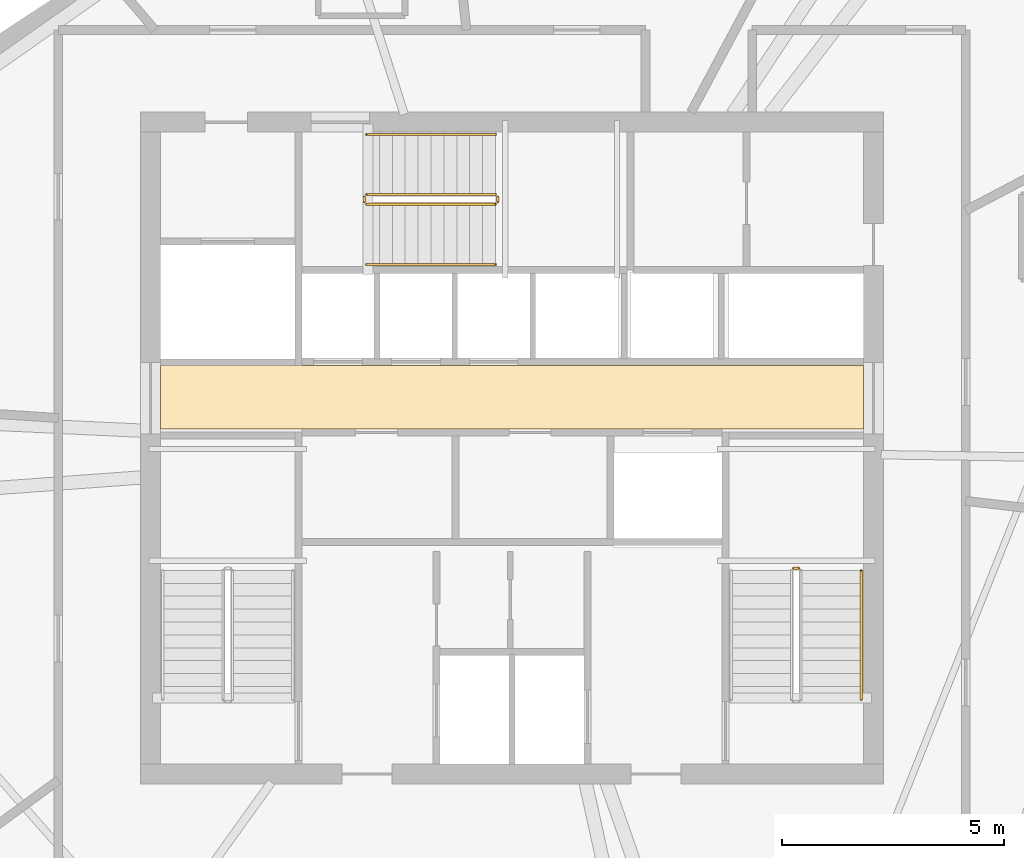
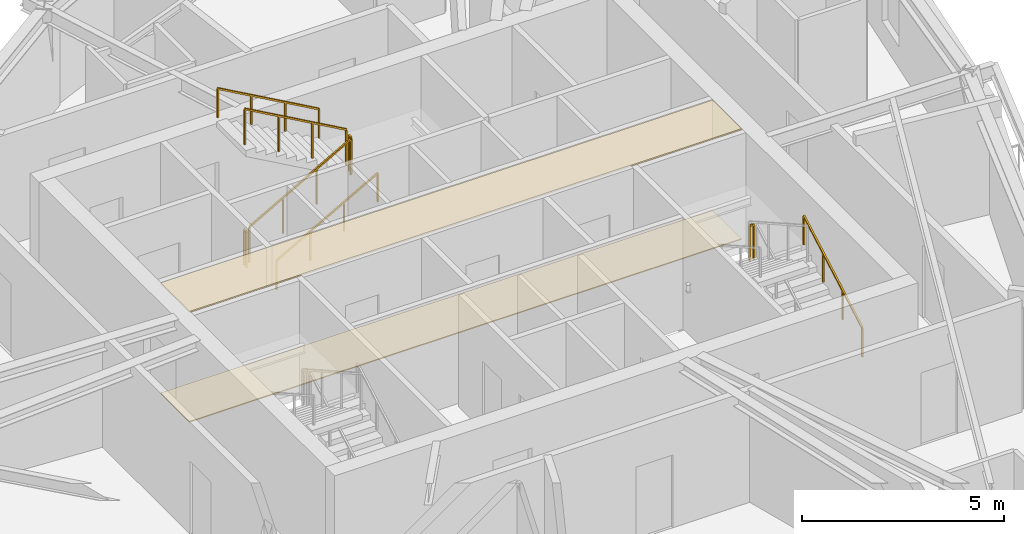
# One storey, part 13 of 14: 8 railings, 2 coverings.
"""IFC4 building model written with IfcOpenShell, lengths in metres."""

from ifc_helpers import new_model, si_unit, direction, frame, origin, origin_2d, place, context, subcontext, project, spatial, polyline, rectangle, outline, extrude, material, layer, layer_set, type_object, element, save


model = new_model("IFC4")

# Units and contexts
model_context = context("Model", 3, precision=1e-05, world=origin(), true_north=direction((0.0, 1.0)))
body_context = subcontext(model_context, "Body", "Model", "MODEL_VIEW")
ifc_project = project(units=[si_unit("LENGTHUNIT", "METRE"), si_unit("AREAUNIT", "SQUARE_METRE"), si_unit("VOLUMEUNIT", "CUBIC_METRE"), si_unit("PLANEANGLEUNIT", "RADIAN"), si_unit("MASSUNIT", "GRAM", prefix="KILO")], contexts=[model_context])

# Site, building, storey
site_placement = place(None, origin())
site = spatial("IfcSite", under=ifc_project, at=site_placement, CompositionType="ELEMENT")
building_placement = place(site_placement, origin())
building = spatial("IfcBuilding", under=site, at=building_placement, Name="Olszyna Solenne Hotel", CompositionType="ELEMENT")
storey_placement = place(building_placement, frame((0.0, 0.0, 252.5)))
storey = spatial("IfcBuildingStorey", under=building, at=storey_placement, Name="L67", CompositionType="ELEMENT", Elevation=252.5)

# Coverings
ifc_material_1 = material(Name="Mineral wool acoustic ceiling")
ifc_layer_1 = layer(ifc_material_1, 0.0400390625, Name="Mineral wool acoustic ceiling")
ifc_layer_set_1 = layer_set([ifc_layer_1], Name="Mineral wool acoustic ceiling")
covering_type_1 = type_object("IfcCoveringType", Name="CL-AC1", PredefinedType="CEILING", material=ifc_layer_set_1)
covering_1_placement = place(storey_placement, frame((0.0, 0.0, 3.320068359375)))
element("IfcCovering", 1, at=covering_1_placement, inside=storey, type_object=covering_type_1, Name="Lift lobby acoustic tile ceiling CL-L67-01", PredefinedType="CEILING", context=body_context, shape_type="SweptSolid", body=[
    extrude(outline(polyline([(30.10009765625, 27.030029296875), (45.89990234375, 27.030029296875), (45.89990234375, 28.4599609375), (30.10009765625, 28.4599609375), (30.10009765625, 27.030029296875)])), origin(), (0.0, 0.0, 1.0), 0.0400390625),
])
ifc_material_2 = material(Name="Ceramic floor tile")
ifc_layer_2 = layer(ifc_material_2, 0.030029296875, Name="Ceramic floor tile")
ifc_layer_set_2 = layer_set([ifc_layer_2], Name="Ceramic floor tile")
covering_type_2 = type_object("IfcCoveringType", Name="FL-TL1", PredefinedType="FLOORING", material=ifc_layer_set_2)
covering_2_placement = place(storey_placement, origin())
element("IfcCovering", 2, at=covering_2_placement, inside=storey, type_object=covering_type_2, Name="Lift lobby stoneware floor finish FLR-L67-01", PredefinedType="FLOORING", context=body_context, shape_type="SweptSolid", body=[
    extrude(outline(polyline([(30.10009765625, 27.030029296875), (45.89990234375, 27.030029296875), (45.89990234375, 28.4599609375), (30.10009765625, 28.4599609375), (30.10009765625, 27.030029296875)])), origin(), (0.0, 0.0, 1.0), 0.030029296875),
])

# Railings
ifc_material_3 = material(Name="Anodised bronze aluminium", Category="aluminium")
railing_type_1 = type_object("IfcRailingType", Name="GR-110", PredefinedType="BALUSTRADE", material=ifc_material_3)
railing_1_placement = place(storey_placement, frame((44.449951171875, 23.89990234375, 1.800048828125)))
element("IfcRailing", 3, at=railing_1_placement, inside=storey, type_object=railing_type_1, Name="L67 ST2 stair guard 2", PredefinedType="BALUSTRADE", context=body_context, shape_type="SweptSolid", body=[
    extrude(rectangle(XDim=0.048095703125, YDim=0.048095703125, at=origin_2d()), frame((0.0, 0.0, 1.076171875), z_axis=(-1.0, 0.0, 0.0), x_axis=(0.0, -1.0, 0.0)), (0.0, 0.0, 1.0), 0.119873046875),
    extrude(rectangle(XDim=0.0419921875, YDim=0.0419921875, at=origin_2d()), origin(), (0.0, 0.0, 1.0), 1.052001953125),
    extrude(rectangle(XDim=0.0419921875, YDim=0.0419921875, at=origin_2d()), frame((-0.119873046875, 0.0, 0.0)), (0.0, 0.0, 1.0), 1.052001953125),
])
railing_2_placement = place(storey_placement, frame((34.72998046875, 32.080078125, 0.16357421875)))
element("IfcRailing", 4, at=railing_2_placement, inside=storey, type_object=railing_type_1, Name="L67 ST3 stair guard 1", PredefinedType="BALUSTRADE", context=body_context, shape_type="SweptSolid", body=[
    extrude(rectangle(XDim=0.048095703125, YDim=0.048095703125, at=origin_2d()), frame((0.0, 0.0, 1.076171875), z_axis=(0.870897200241, 0.0, 0.491465224214), x_axis=(0.0, 1.0, 0.0)), (0.0, 0.0, 1.0), 3.329833984375),
    extrude(rectangle(XDim=0.0419921875, YDim=0.0419921875, at=origin_2d()), origin(), (0.0, 0.0, 1.0), 1.052001953125),
    extrude(rectangle(XDim=0.0419921875, YDim=0.0419921875, at=origin_2d()), frame((0.966552734375, 0.0, 0.54541015625)), (0.0, 0.0, 1.0), 1.052001953125),
    extrude(rectangle(XDim=0.0419921875, YDim=0.0419921875, at=origin_2d()), frame((1.933349609375, 0.0, 1.091064453125)), (0.0, 0.0, 1.0), 1.052001953125),
    extrude(rectangle(XDim=0.0419921875, YDim=0.0419921875, at=origin_2d()), frame((2.89990234375, 0.0, 1.636474609375)), (0.0, 0.0, 1.0), 1.052001953125),
])
railing_3_placement = place(storey_placement, frame((37.679931640625, 32.1298828125, 1.800048828125)))
element("IfcRailing", 5, at=railing_3_placement, inside=storey, type_object=railing_type_1, Name="L67 ST3 stair guard 2", PredefinedType="BALUSTRADE", context=body_context, shape_type="SweptSolid", body=[
    extrude(rectangle(XDim=0.048095703125, YDim=0.048095703125, at=origin_2d()), frame((0.0, 0.0, 1.076171875), z_axis=(0.0, 1.0, 0.0), x_axis=(-1.0, 0.0, 0.0)), (0.0, 0.0, 1.0), 0.1201171875),
    extrude(rectangle(XDim=0.0419921875, YDim=0.0419921875, at=origin_2d()), origin(), (0.0, 0.0, 1.0), 1.052001953125),
    extrude(rectangle(XDim=0.0419921875, YDim=0.0419921875, at=origin_2d()), frame((0.0, 0.1201171875, 0.0)), (0.0, 0.0, 1.0), 1.052001953125),
])
railing_4_placement = place(storey_placement, frame((37.6298828125, 32.300048828125, 1.963623046875)))
element("IfcRailing", 6, at=railing_4_placement, inside=storey, type_object=railing_type_1, Name="L67 ST3 stair guard 3", PredefinedType="BALUSTRADE", context=body_context, shape_type="SweptSolid", body=[
    extrude(rectangle(XDim=0.048095703125, YDim=0.048095703125, at=origin_2d()), frame((0.0, 0.0, 1.076171875), z_axis=(-0.870897200241, 0.0, 0.491465224214), x_axis=(0.0, -1.0, 0.0)), (0.0, 0.0, 1.0), 3.329833984375),
    extrude(rectangle(XDim=0.0419921875, YDim=0.0419921875, at=origin_2d()), origin(), (0.0, 0.0, 1.0), 1.052001953125),
    extrude(rectangle(XDim=0.0419921875, YDim=0.0419921875, at=origin_2d()), frame((-0.966552734375, 0.0, 0.54541015625)), (0.0, 0.0, 1.0), 1.052001953125),
    extrude(rectangle(XDim=0.0419921875, YDim=0.0419921875, at=origin_2d()), frame((-1.933349609375, 0.0, 1.091064453125)), (0.0, 0.0, 1.0), 1.052001953125),
    extrude(rectangle(XDim=0.0419921875, YDim=0.0419921875, at=origin_2d()), frame((-2.89990234375, 0.0, 1.636474609375)), (0.0, 0.0, 1.0), 1.052001953125),
])
railing_5_placement = place(storey_placement, frame((34.679931640625, 32.1298828125, 0.0)))
element("IfcRailing", 7, at=railing_5_placement, inside=storey, type_object=railing_type_1, Name="L67 ST3 stair guard 4", PredefinedType="BALUSTRADE", context=body_context, shape_type="SweptSolid", body=[
    extrude(rectangle(XDim=0.048095703125, YDim=0.048095703125, at=origin_2d()), frame((0.0, 0.0, 1.076171875), z_axis=(0.0, 1.0, 0.0), x_axis=(-1.0, 0.0, 0.0)), (0.0, 0.0, 1.0), 0.1201171875),
    extrude(rectangle(XDim=0.0419921875, YDim=0.0419921875, at=origin_2d()), origin(), (0.0, 0.0, 1.0), 1.052001953125),
    extrude(rectangle(XDim=0.0419921875, YDim=0.0419921875, at=origin_2d()), frame((0.0, 0.1201171875, 0.0)), (0.0, 0.0, 1.0), 1.052001953125),
])
ifc_material_4 = material(Name="Steel S355J2", Category="steel")
railing_type_2 = type_object("IfcRailingType", Name="HR-090", PredefinedType="HANDRAIL", material=ifc_material_4)
railing_6_placement = place(storey_placement, frame((45.85009765625, 20.949951171875, 0.16357421875)))
element("IfcRailing", 8, at=railing_6_placement, inside=storey, type_object=railing_type_2, Name="L67 ST2 stair handrail 1", PredefinedType="HANDRAIL", context=body_context, shape_type="SweptSolid", body=[
    extrude(rectangle(XDim=0.048095703125, YDim=0.048095703125, at=origin_2d()), frame((0.0, 0.0, 0.8759765625), z_axis=(0.0, 0.870914908162, 0.491433843708), x_axis=(-1.0, 0.0, 0.0)), (0.0, 0.0, 1.0), 3.330078125),
    extrude(rectangle(XDim=0.0419921875, YDim=0.0419921875, at=origin_2d()), origin(), (0.0, 0.0, 1.0), 0.851806640625),
    extrude(rectangle(XDim=0.0419921875, YDim=0.0419921875, at=origin_2d()), frame((0.0, 0.966796875, 0.54541015625)), (0.0, 0.0, 1.0), 0.851806640625),
    extrude(rectangle(XDim=0.0419921875, YDim=0.0419921875, at=origin_2d()), frame((0.0, 1.933349609375, 1.091064453125)), (0.0, 0.0, 1.0), 0.851806640625),
    extrude(rectangle(XDim=0.0419921875, YDim=0.0419921875, at=origin_2d()), frame((0.0, 2.900146484375, 1.636474609375)), (0.0, 0.0, 1.0), 0.851806640625),
])
railing_7_placement = place(storey_placement, frame((34.72998046875, 30.72998046875, 0.16357421875)))
element("IfcRailing", 9, at=railing_7_placement, inside=storey, type_object=railing_type_2, Name="L67 ST3 stair handrail 1", PredefinedType="HANDRAIL", context=body_context, shape_type="SweptSolid", body=[
    extrude(rectangle(XDim=0.048095703125, YDim=0.048095703125, at=origin_2d()), frame((0.0, 0.0, 0.8759765625), z_axis=(0.870897200241, 0.0, 0.491465224214), x_axis=(0.0, 1.0, 0.0)), (0.0, 0.0, 1.0), 3.329833984375),
    extrude(rectangle(XDim=0.0419921875, YDim=0.0419921875, at=origin_2d()), origin(), (0.0, 0.0, 1.0), 0.851806640625),
    extrude(rectangle(XDim=0.0419921875, YDim=0.0419921875, at=origin_2d()), frame((0.966552734375, 0.0, 0.54541015625)), (0.0, 0.0, 1.0), 0.851806640625),
    extrude(rectangle(XDim=0.0419921875, YDim=0.0419921875, at=origin_2d()), frame((1.933349609375, 0.0, 1.091064453125)), (0.0, 0.0, 1.0), 0.851806640625),
    extrude(rectangle(XDim=0.0419921875, YDim=0.0419921875, at=origin_2d()), frame((2.89990234375, 0.0, 1.636474609375)), (0.0, 0.0, 1.0), 0.851806640625),
])
railing_8_placement = place(storey_placement, frame((37.6298828125, 33.64990234375, 1.963623046875)))
element("IfcRailing", 10, at=railing_8_placement, inside=storey, type_object=railing_type_2, Name="L67 ST3 stair handrail 2", PredefinedType="HANDRAIL", context=body_context, shape_type="SweptSolid", body=[
    extrude(rectangle(XDim=0.048095703125, YDim=0.048095703125, at=origin_2d()), frame((0.0, 0.0, 0.8759765625), z_axis=(-0.870897200241, 0.0, 0.491465224214), x_axis=(0.0, -1.0, 0.0)), (0.0, 0.0, 1.0), 3.329833984375),
    extrude(rectangle(XDim=0.0419921875, YDim=0.0419921875, at=origin_2d()), origin(), (0.0, 0.0, 1.0), 0.851806640625),
    extrude(rectangle(XDim=0.0419921875, YDim=0.0419921875, at=origin_2d()), frame((-0.966552734375, 0.0, 0.54541015625)), (0.0, 0.0, 1.0), 0.851806640625),
    extrude(rectangle(XDim=0.0419921875, YDim=0.0419921875, at=origin_2d()), frame((-1.933349609375, 0.0, 1.091064453125)), (0.0, 0.0, 1.0), 0.851806640625),
    extrude(rectangle(XDim=0.0419921875, YDim=0.0419921875, at=origin_2d()), frame((-2.89990234375, 0.0, 1.636474609375)), (0.0, 0.0, 1.0), 0.851806640625),
])

save(model, "model.ifc")
